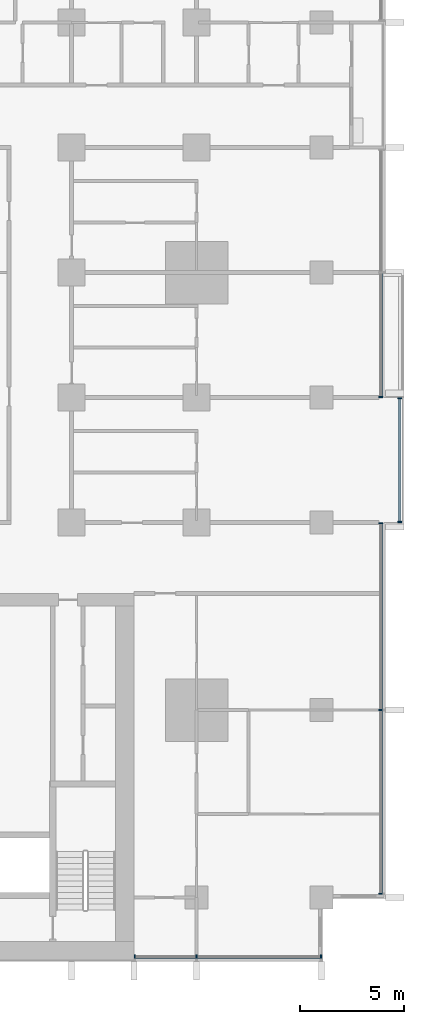
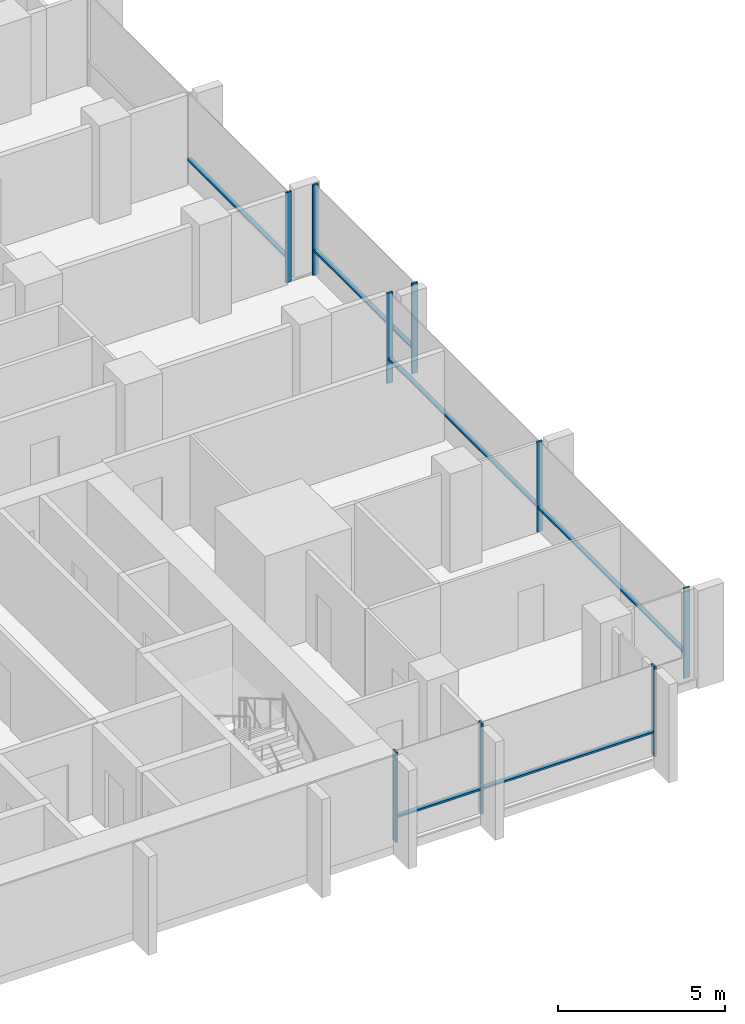
# One storey, part 3 of 18: 15 members, 4 elements without a shape of their own.
"""IFC4 building model written with IfcOpenShell, lengths in metres."""

from ifc_helpers import new_model, si_unit, direction, frame, origin, origin_2d, place, context, subcontext, project, spatial, rectangle, extrude, material, material_profile, profile_set, type_object, element, aggregate, save


model = new_model("IFC4")

# Units and contexts
model_context = context("Model", 3, precision=1e-05, world=origin(), true_north=direction((0.0, 1.0)))
body_context = subcontext(model_context, "Body", "Model", "MODEL_VIEW")
ifc_project = project(units=[si_unit("LENGTHUNIT", "METRE"), si_unit("AREAUNIT", "SQUARE_METRE"), si_unit("VOLUMEUNIT", "CUBIC_METRE"), si_unit("PLANEANGLEUNIT", "RADIAN"), si_unit("MASSUNIT", "GRAM", prefix="KILO")], contexts=[model_context])

# Site, building, storey
site_placement = place(None, origin())
site = spatial("IfcSite", under=ifc_project, at=site_placement, CompositionType="ELEMENT")
building_placement = place(site_placement, origin())
building = spatial("IfcBuilding", under=site, at=building_placement, Name="Finial Court Residences", CompositionType="ELEMENT")
storey_placement = place(building_placement, frame((0.0, 0.0, 54.10009765625)))
storey = spatial("IfcBuildingStorey", under=building, at=storey_placement, Name="L12", CompositionType="ELEMENT", Elevation=54.10009765625)

# Curtain wall, members
ifc_material = material(Name="Bronze anodised aluminium", Category="aluminium")
curtain_wall_type = type_object("IfcCurtainWallType", Name="Unitised curtain wall, lower and middle zones", PredefinedType="NOTDEFINED", material=ifc_material)
curtain_wall_1_placement = place(storey_placement, origin())
curtain_wall_1 = element("IfcCurtainWall", 1, at=curtain_wall_1_placement, inside=storey, type_object=curtain_wall_type, Name="E-L12-CW-E4", PredefinedType="NOTDEFINED")
ifc_material_profile_1 = material_profile(ifc_material, rectangle(XDim=0.199951171875, YDim=0.06494140625, at=origin_2d()), Name="CW1 mullion 65 x 200")
ifc_profile_set_1 = profile_set([ifc_material_profile_1], Name="Bronze anodised aluminium")
member_type_1 = type_object("IfcMemberType", Name="CW1 mullion 65 x 200", PredefinedType="MULLION", material=ifc_profile_set_1)
member_1_placement = place(storey_placement, frame((25.35009765625, -22.3173828125, 0.0), z_axis=(0.0, 0.0, 1.0), x_axis=(-1.0, 0.0, 0.0)))
member_1 = element("IfcMember", 2, at=member_1_placement, type_object=member_type_1, Name="CW1 mullion 1", PredefinedType="MULLION", context=body_context, shape_type="SweptSolid", body=[
    extrude(rectangle(XDim=0.199951171875, YDim=0.06494140625, at=origin_2d()), origin(), (0.0, 0.0, 1.0), 3.2998046875),
])
member_2_placement = place(storey_placement, frame((25.35009765625, -13.5, 0.0), z_axis=(0.0, 0.0, 1.0), x_axis=(-1.0, 0.0, 0.0)))
member_2 = element("IfcMember", 3, at=member_2_placement, type_object=member_type_1, Name="CW1 mullion 2", PredefinedType="MULLION", context=body_context, shape_type="SweptSolid", body=[
    extrude(rectangle(XDim=0.199951171875, YDim=0.06494140625, at=origin_2d()), origin(), (0.0, 0.0, 1.0), 3.2998046875),
])
member_3_placement = place(storey_placement, frame((25.35009765625, -4.532470703125, 0.0), z_axis=(0.0, 0.0, 1.0), x_axis=(-1.0, 0.0, 0.0)))
member_3 = element("IfcMember", 4, at=member_3_placement, type_object=member_type_1, Name="CW1 mullion 3", PredefinedType="MULLION", context=body_context, shape_type="SweptSolid", body=[
    extrude(rectangle(XDim=0.199951171875, YDim=0.06494140625, at=origin_2d()), origin(), (0.0, 0.0, 1.0), 3.2998046875),
])

curtain_wall_2_placement = place(storey_placement, origin())
curtain_wall_2 = element("IfcCurtainWall", 5, at=curtain_wall_2_placement, inside=storey, type_object=curtain_wall_type, Name="E-L12-CW-E5", PredefinedType="NOTDEFINED")
member_4_placement = place(storey_placement, frame((26.25, -4.467529296875, 0.0), z_axis=(0.0, 0.0, 1.0), x_axis=(-1.0, 0.0, 0.0)))
member_4 = element("IfcMember", 6, at=member_4_placement, type_object=member_type_1, Name="CW1 mullion 1", PredefinedType="MULLION", context=body_context, shape_type="SweptSolid", body=[
    extrude(rectangle(XDim=0.199951171875, YDim=0.06494140625, at=origin_2d()), origin(), (0.0, 0.0, 1.0), 3.2998046875),
])
member_5_placement = place(storey_placement, frame((26.25, 1.467529296875, 0.0), z_axis=(0.0, 0.0, 1.0), x_axis=(-1.0, 0.0, 0.0)))
member_5 = element("IfcMember", 7, at=member_5_placement, type_object=member_type_1, Name="CW1 mullion 2", PredefinedType="MULLION", context=body_context, shape_type="SweptSolid", body=[
    extrude(rectangle(XDim=0.199951171875, YDim=0.06494140625, at=origin_2d()), origin(), (0.0, 0.0, 1.0), 3.2998046875),
])

# Curtain wall, member
curtain_wall_3_placement = place(storey_placement, origin())
curtain_wall_3 = element("IfcCurtainWall", 8, at=curtain_wall_3_placement, inside=storey, type_object=curtain_wall_type, Name="E-L12-CW-E6", PredefinedType="NOTDEFINED")
member_6_placement = place(storey_placement, frame((25.35009765625, 1.532470703125, 0.0), z_axis=(0.0, 0.0, 1.0), x_axis=(-1.0, 0.0, 0.0)))
member_6 = element("IfcMember", 9, at=member_6_placement, type_object=member_type_1, Name="CW1 mullion 1", PredefinedType="MULLION", context=body_context, shape_type="SweptSolid", body=[
    extrude(rectangle(XDim=0.199951171875, YDim=0.06494140625, at=origin_2d()), origin(), (0.0, 0.0, 1.0), 3.2998046875),
])

# Curtain wall, members
curtain_wall_4_placement = place(storey_placement, origin())
curtain_wall_4 = element("IfcCurtainWall", 10, at=curtain_wall_4_placement, inside=storey, type_object=curtain_wall_type, Name="E-L12-CW-S9", PredefinedType="NOTDEFINED")
member_7_placement = place(storey_placement, frame((13.532470703125, -25.35009765625, 0.0), z_axis=(0.0, 0.0, 1.0), x_axis=(0.0, 1.0, 0.0)))
member_7 = element("IfcMember", 11, at=member_7_placement, type_object=member_type_1, Name="CW1 mullion 1", PredefinedType="MULLION", context=body_context, shape_type="SweptSolid", body=[
    extrude(rectangle(XDim=0.199951171875, YDim=0.06494140625, at=origin_2d()), origin(), (0.0, 0.0, 1.0), 3.2998046875),
])
member_8_placement = place(storey_placement, frame((16.5, -25.35009765625, 0.0), z_axis=(0.0, 0.0, 1.0), x_axis=(0.0, 1.0, 0.0)))
member_8 = element("IfcMember", 12, at=member_8_placement, type_object=member_type_1, Name="CW1 mullion 2", PredefinedType="MULLION", context=body_context, shape_type="SweptSolid", body=[
    extrude(rectangle(XDim=0.199951171875, YDim=0.06494140625, at=origin_2d()), origin(), (0.0, 0.0, 1.0), 3.2998046875),
])
member_9_placement = place(storey_placement, frame((22.467529296875, -25.35009765625, 0.0), z_axis=(0.0, 0.0, 1.0), x_axis=(0.0, 1.0, 0.0)))
member_9 = element("IfcMember", 13, at=member_9_placement, type_object=member_type_1, Name="CW1 mullion 3", PredefinedType="MULLION", context=body_context, shape_type="SweptSolid", body=[
    extrude(rectangle(XDim=0.199951171875, YDim=0.06494140625, at=origin_2d()), origin(), (0.0, 0.0, 1.0), 3.2998046875),
])

# Member
ifc_material_profile_2 = material_profile(ifc_material, rectangle(XDim=0.14990234375, YDim=0.06494140625, at=origin_2d()), Name="CW1 transom 65 x 150")
ifc_profile_set_2 = profile_set([ifc_material_profile_2], Name="Bronze anodised aluminium")
member_type_2 = type_object("IfcMemberType", Name="CW1 transom 65 x 150", PredefinedType="USERDEFINED", material=ifc_profile_set_2)
member_10_placement = place(storey_placement, frame((25.35009765625, -22.284912109375, 0.89990234375), z_axis=(0.0, 1.0, 0.0), x_axis=(-1.0, 0.0, 0.0)))
member_10 = element("IfcMember", 14, at=member_10_placement, type_object=member_type_2, Name="CW1 transom 1.1", ObjectType="TRANSOM", PredefinedType="USERDEFINED", context=body_context, shape_type="SweptSolid", body=[
    extrude(rectangle(XDim=0.14990234375, YDim=0.06494140625, at=origin_2d()), origin(), (0.0, 0.0, 1.0), 8.75244140625),
])

member_11_placement = place(storey_placement, frame((25.35009765625, -13.467529296875, 0.89990234375), z_axis=(0.0, 1.0, 0.0), x_axis=(-1.0, 0.0, 0.0)))
member_11 = element("IfcMember", 15, at=member_11_placement, type_object=member_type_2, Name="CW1 transom 2.1", ObjectType="TRANSOM", PredefinedType="USERDEFINED", context=body_context, shape_type="SweptSolid", body=[
    extrude(rectangle(XDim=0.14990234375, YDim=0.06494140625, at=origin_2d()), origin(), (0.0, 0.0, 1.0), 8.902587890625),
])

aggregate(curtain_wall_1, [member_1, member_2, member_3, member_10, member_11])

member_12_placement = place(storey_placement, frame((26.25, -4.43505859375, 0.89990234375), z_axis=(0.0, 1.0, 0.0), x_axis=(-1.0, 0.0, 0.0)))
member_12 = element("IfcMember", 16, at=member_12_placement, type_object=member_type_2, Name="CW1 transom 1.1", ObjectType="TRANSOM", PredefinedType="USERDEFINED", context=body_context, shape_type="SweptSolid", body=[
    extrude(rectangle(XDim=0.14990234375, YDim=0.06494140625, at=origin_2d()), origin(), (0.0, 0.0, 1.0), 5.8701171875),
])

aggregate(curtain_wall_2, [member_4, member_5, member_12])

member_13_placement = place(storey_placement, frame((25.35009765625, 1.56494140625, 0.89990234375), z_axis=(0.0, 1.0, 0.0), x_axis=(-1.0, 0.0, 0.0)))
member_13 = element("IfcMember", 17, at=member_13_placement, type_object=member_type_2, Name="CW1 transom 1.1", ObjectType="TRANSOM", PredefinedType="USERDEFINED", context=body_context, shape_type="SweptSolid", body=[
    extrude(rectangle(XDim=0.14990234375, YDim=0.06494140625, at=origin_2d()), origin(), (0.0, 0.0, 1.0), 5.902587890625),
])

aggregate(curtain_wall_3, [member_6, member_13])

member_14_placement = place(storey_placement, frame((13.56494140625, -25.35009765625, 0.89990234375), z_axis=(1.0, 0.0, 0.0), x_axis=(0.0, 1.0, 0.0)))
member_14 = element("IfcMember", 18, at=member_14_placement, type_object=member_type_2, Name="CW1 transom 1.1", ObjectType="TRANSOM", PredefinedType="USERDEFINED", context=body_context, shape_type="SweptSolid", body=[
    extrude(rectangle(XDim=0.14990234375, YDim=0.06494140625, at=origin_2d()), origin(), (0.0, 0.0, 1.0), 2.902587890625),
])

member_15_placement = place(storey_placement, frame((16.532470703125, -25.35009765625, 0.89990234375), z_axis=(1.0, 0.0, 0.0), x_axis=(0.0, 1.0, 0.0)))
member_15 = element("IfcMember", 19, at=member_15_placement, type_object=member_type_2, Name="CW1 transom 2.1", ObjectType="TRANSOM", PredefinedType="USERDEFINED", context=body_context, shape_type="SweptSolid", body=[
    extrude(rectangle(XDim=0.14990234375, YDim=0.06494140625, at=origin_2d()), origin(), (0.0, 0.0, 1.0), 5.902587890625),
])

aggregate(curtain_wall_4, [member_7, member_8, member_9, member_14, member_15])

save(model, "model.ifc")
